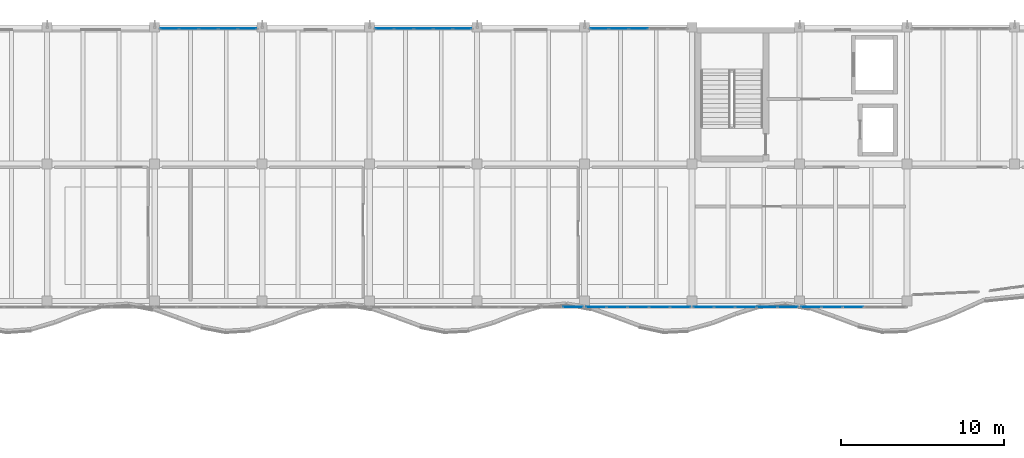
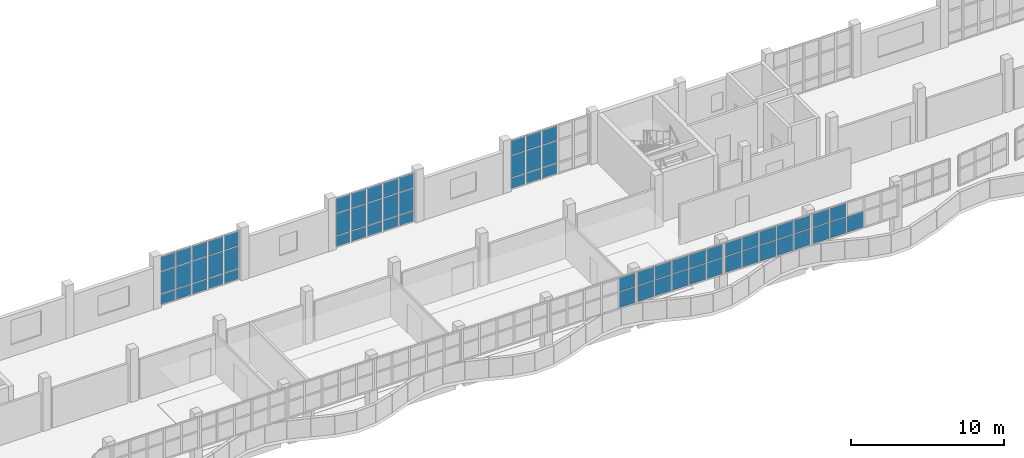
# One storey, part 36 of 74: 66 plates, 7 elements without a shape of their own.
"""IFC4 building model written with IfcOpenShell, lengths in metres."""

import ifcopenshell
import ifcopenshell.guid

model = None  # the IFC model being written
_history = None  # IfcOwnerHistory: only IFC2X3 demands one
_inside = {}  # id of a spatial element -> (the spatial element, [elements in it])
_under = {}  # id of a project, library or spatial element -> (it, [spatial elements below it])
_declared = {}  # id of a project -> (the project, [libraries it declares])
_typed = {}  # id of a type object -> (the type object, [elements of that type])
_made_of = {}  # id of a material, layer set ... -> (it, [elements and type objects made of it])


def new_model(schema):
    """Start an empty IFC model of exactly this schema.

    Asked for "IFC4X3", IfcOpenShell would pick the latest addendum, in which some entities
    have other attributes; the version numbers below select the first issue.
    IFC2X3 requires an IfcOwnerHistory on every rooted entity: one is made here for all.
    """
    global model, _history
    if schema == "IFC4X3":
        model = ifcopenshell.file(schema_version=(4, 3, 0, 0))
    else:
        model = ifcopenshell.file(schema=schema)
    _inside.clear()
    _under.clear()
    _declared.clear()
    _typed.clear()
    _made_of.clear()
    _history = None
    if model.schema == "IFC2X3":
        org = make("IfcOrganization", Name="unknown")
        user = make(
            "IfcPersonAndOrganization",
            ThePerson=make("IfcPerson", FamilyName="unknown"),
            TheOrganization=org,
        )
        app = make(
            "IfcApplication",
            ApplicationDeveloper=org,
            Version="unknown",
            ApplicationFullName="unknown",
            ApplicationIdentifier="unknown",
        )
        _history = make(
            "IfcOwnerHistory",
            OwningUser=user,
            OwningApplication=app,
            ChangeAction="ADDED",
            CreationDate=0,
        )
    return model


def make(cls, **values):
    """One entity of the class cls with the attributes given. An attribute that is None is left unset."""
    return model.create_entity(
        cls, **{name: value for name, value in values.items() if value is not None}
    )


def rooted(cls, **values):
    """An entity with a GlobalId (a new one), such as an element, a storey or a relation."""
    return make(cls, GlobalId=ifcopenshell.guid.new(), OwnerHistory=_history, **values)


def si_unit(unit_type, name, prefix=None):
    """IfcSIUnit, for example si_unit("LENGTHUNIT", "METRE", prefix="MILLI")."""
    return make("IfcSIUnit", UnitType=unit_type, Prefix=prefix, Name=name)


def assignment(units):
    """IfcUnitAssignment: the units of a project."""
    return None if units is None else make("IfcUnitAssignment", Units=units)


def point(xyz):
    """IfcCartesianPoint."""
    return None if xyz is None else make("IfcCartesianPoint", Coordinates=xyz)


def direction(xyz):
    """IfcDirection."""
    return None if xyz is None else make("IfcDirection", DirectionRatios=xyz)


def frame(location, z_axis=None, x_axis=None):
    """IfcAxis2Placement3D, a coordinate frame: its origin and axes. An axis left out is left unset."""
    return make(
        "IfcAxis2Placement3D",
        Location=point(location),
        Axis=direction(z_axis),
        RefDirection=direction(x_axis),
    )


def frame_2d(location, x_axis=None):
    """IfcAxis2Placement2D, a coordinate frame in the plane: its origin and x axis."""
    return make(
        "IfcAxis2Placement2D", Location=point(location), RefDirection=direction(x_axis)
    )


def origin():
    """The frame at (0, 0, 0) with its axes left unset."""
    return frame((0.0, 0.0, 0.0))


def origin_2d():
    """The frame at (0, 0) in the plane with its x axis left unset."""
    return frame_2d((0.0, 0.0))


def place(relative_to, where):
    """IfcLocalPlacement: puts the frame where relative to a parent placement (None: the world)."""
    return make(
        "IfcLocalPlacement", PlacementRelTo=relative_to, RelativePlacement=where
    )


def context(
    kind, dimensions, precision=None, world=None, true_north=None, identifier=None
):
    """IfcGeometricRepresentationContext, for example the 3D "Model" context."""
    return make(
        "IfcGeometricRepresentationContext",
        ContextIdentifier=identifier,
        ContextType=kind,
        CoordinateSpaceDimension=dimensions,
        Precision=precision,
        WorldCoordinateSystem=world,
        TrueNorth=true_north,
    )


def subcontext(parent, identifier, kind, view, scale=None):
    """IfcGeometricRepresentationSubContext, for example "Body" below "Model"."""
    return make(
        "IfcGeometricRepresentationSubContext",
        ContextIdentifier=identifier,
        ContextType=kind,
        ParentContext=parent,
        TargetScale=scale,
        TargetView=view,
    )


def project(units=None, contexts=None):
    """IfcProject with its units and contexts."""
    return rooted(
        "IfcProject",
        Name="project",
        RepresentationContexts=contexts,
        UnitsInContext=assignment(units),
    )


def spatial(cls, under=None, at=None, **own):
    """A site, building, storey or space (cls), placed at a placement, below another one or the project."""
    s = rooted(cls, ObjectPlacement=at, **own)
    if under is not None:
        _under.setdefault(under.id(), (under, []))[1].append(s)
    return s


def profile(cls, at=None, kind="AREA", **sizes):
    """A parametric profile (cls). Its sizes go by their IFC names, for example OverallWidth=200.0."""
    return make(cls, ProfileType=kind, Position=at, **sizes)


def rectangle(**sizes):
    """IfcRectangleProfileDef."""
    return profile("IfcRectangleProfileDef", **sizes)


def extrude(swept, where, along, depth):
    """IfcExtrudedAreaSolid: the profile swept, set in the frame where, extruded along a direction by depth."""
    return make(
        "IfcExtrudedAreaSolid",
        SweptArea=swept,
        Position=where,
        ExtrudedDirection=direction(along),
        Depth=depth,
    )


def shape(context_of_items, identifier, shape_type, items):
    """IfcShapeRepresentation: the items that make up one representation, for example the "Body"."""
    return make(
        "IfcShapeRepresentation",
        ContextOfItems=context_of_items,
        RepresentationIdentifier=identifier,
        RepresentationType=shape_type,
        Items=items,
    )


def material(Name=None, Category=None):
    """IfcMaterial."""
    return make("IfcMaterial", Name=Name, Category=Category)


def layer(
    of_material, thickness, ventilated=None, Name=None, Category=None, Priority=None
):
    """IfcMaterialLayer: one layer of a wall or slab, of a material (None: an air gap)."""
    return make(
        "IfcMaterialLayer",
        Material=of_material,
        LayerThickness=thickness,
        IsVentilated=ventilated,
        Name=Name,
        Category=Category,
        Priority=Priority,
    )


def layer_set(layers, Name=None):
    """IfcMaterialLayerSet."""
    return make("IfcMaterialLayerSet", MaterialLayers=layers, LayerSetName=Name)


def made_of(thing, what):
    """Note that an element or type object is made of a material, layer set ...; save() writes the relation."""
    if what is not None:
        _made_of.setdefault(what.id(), (what, []))[1].append(thing)
    return thing


def type_object(cls, material=None, **own):
    """A type object (cls), such as IfcWallType, which elements share."""
    return made_of(rooted(cls, **own), material)


def element(
    cls,
    number,
    at=None,
    inside=None,
    cuts=None,
    type_object=None,
    material=None,
    context=None,
    identifier="Body",
    shape_type=None,
    held_by="IfcProductDefinitionShape",
    body=None,
    shapes=None,
    **own,
):
    """One element of the class cls, such as IfcWall. Its Tag is "e" and its number.

    at: its placement. inside: the storey or other place that contains it. cuts: it is an
    opening in that element (IfcRelVoidsElement). A single representation is given by context,
    identifier, shape_type and body (its items); several are given by shapes. held_by: the class
    of the entity that holds the representations. save() writes the other relations.
    """
    e = rooted(cls, Tag="e%d" % number, ObjectPlacement=at, **own)
    if body is not None:
        shapes = [shape(context, identifier, shape_type, body)]
    if shapes is not None:
        e.Representation = make(held_by, Representations=shapes)
    if inside is not None:
        _inside.setdefault(inside.id(), (inside, []))[1].append(e)
    if cuts is not None:
        rooted(
            "IfcRelVoidsElement", RelatingBuildingElement=cuts, RelatedOpeningElement=e
        )
    if type_object is not None:
        _typed.setdefault(type_object.id(), (type_object, []))[1].append(e)
    return made_of(e, material)


def aggregate(whole, parts):
    """IfcRelAggregates: a whole, such as a stair, and the parts it consists of."""
    return rooted("IfcRelAggregates", RelatingObject=whole, RelatedObjects=parts)


def save(model, path):
    """Write the relations noted so far, then the file.

    IfcRelAggregates (storeys below a building ...), IfcRelContainedInSpatialStructure (elements
    in a storey), IfcRelDefinesByType, IfcRelAssociatesMaterial and IfcRelDeclares: one each for
    every whole, place, type object, material and project.
    """
    for whole, parts in _under.values():
        aggregate(whole, parts)
    for where, things in _inside.values():
        rooted(
            "IfcRelContainedInSpatialStructure",
            RelatedElements=things,
            RelatingStructure=where,
        )
    for kind, things in _typed.values():
        rooted("IfcRelDefinesByType", RelatedObjects=things, RelatingType=kind)
    for what, things in _made_of.values():
        rooted("IfcRelAssociatesMaterial", RelatedObjects=things, RelatingMaterial=what)
    for by, libraries in _declared.values():
        rooted("IfcRelDeclares", RelatingContext=by, RelatedDefinitions=libraries)
    model.write(path)


model = new_model("IFC4")

# Units and contexts
model_context = context("Model", 3, precision=1e-05, world=origin(), true_north=direction((0.0, 1.0)))
body_context = subcontext(model_context, "Body", "Model", "MODEL_VIEW")
ifc_project = project(units=[si_unit("LENGTHUNIT", "METRE"), si_unit("AREAUNIT", "SQUARE_METRE"), si_unit("VOLUMEUNIT", "CUBIC_METRE"), si_unit("PLANEANGLEUNIT", "RADIAN"), si_unit("MASSUNIT", "GRAM", prefix="KILO")], contexts=[model_context])

# Site, building, storey
site_placement = place(None, origin())
site = spatial("IfcSite", under=ifc_project, at=site_placement, CompositionType="ELEMENT")
building_placement = place(site_placement, origin())
building = spatial("IfcBuilding", under=site, at=building_placement, Name="Qaldarim Faculty of Natural and Applied Sciences", CompositionType="ELEMENT")
storey_placement = place(building_placement, frame((0.0, 0.0, 14.39990234375)))
storey = spatial("IfcBuildingStorey", under=building, at=storey_placement, Name="L03", CompositionType="ELEMENT", Elevation=14.39990234375)

# Curtain wall, plates
ifc_material_1 = material(Name="Anodised aluminium AW-6063", Category="aluminium")
curtain_wall_type_1 = type_object("IfcCurtainWallType", Name="CurtainWallSystem-M1200", PredefinedType="USERDEFINED", material=ifc_material_1)
curtain_wall_1_placement = place(storey_placement, origin())
curtain_wall_1 = element("IfcCurtainWall", 1, at=curtain_wall_1_placement, inside=storey, type_object=curtain_wall_type_1, Name="Curtain wall CW-L03-N-X11Y14", ObjectType="STICK CURTAIN WALL", PredefinedType="USERDEFINED")
ifc_material_2 = material(Name="Insulated low-e double glazing", Category="glass")
ifc_layer_1 = layer(ifc_material_2, 0.031982421875)
ifc_layer_set_1 = layer_set([ifc_layer_1], Name="Insulated low-e double glazing")
plate_type_1 = type_object("IfcPlateType", Name="SolarControlGlazingPanel-32", PredefinedType="CURTAIN_PANEL", material=ifc_layer_set_1)
plate_1_placement = place(storey_placement, frame((71.6865234375, 117.52001953125, 0.070068359375), z_axis=(0.0, 0.0, 1.0), x_axis=(-1.0, 0.0, 0.0)))
plate_1 = element("IfcPlate", 2, at=plate_1_placement, type_object=plate_type_1, Name="Glazed panel 1-1 of CW-L03-N-X11Y14", PredefinedType="CURTAIN_PANEL", context=body_context, shape_type="SweptSolid", body=[
    extrude(rectangle(XDim=1.096923828125, YDim=0.031982421875, at=origin_2d()), origin(), (0.0, 0.0, 1.0), 0.794921875),
])
plate_2_placement = place(storey_placement, frame((71.6865234375, 117.52001953125, 0.93505859375), z_axis=(0.0, 0.0, 1.0), x_axis=(-1.0, 0.0, 0.0)))
plate_2 = element("IfcPlate", 3, at=plate_2_placement, type_object=plate_type_1, Name="Glazed panel 1-2 of CW-L03-N-X11Y14", PredefinedType="CURTAIN_PANEL", context=body_context, shape_type="SweptSolid", body=[
    extrude(rectangle(XDim=1.096923828125, YDim=0.031982421875, at=origin_2d()), origin(), (0.0, 0.0, 1.0), 1.72998046875),
])
plate_3_placement = place(storey_placement, frame((71.6865234375, 117.52001953125, 2.73486328125), z_axis=(0.0, 0.0, 1.0), x_axis=(-1.0, 0.0, 0.0)))
plate_3 = element("IfcPlate", 4, at=plate_3_placement, type_object=plate_type_1, Name="Glazed panel 1-3 of CW-L03-N-X11Y14", PredefinedType="CURTAIN_PANEL", context=body_context, shape_type="SweptSolid", body=[
    extrude(rectangle(XDim=1.096923828125, YDim=0.031982421875, at=origin_2d()), origin(), (0.0, 0.0, 1.0), 1.135009765625),
])
plate_4_placement = place(storey_placement, frame((70.501953125, 117.52001953125, 0.070068359375), z_axis=(0.0, 0.0, 1.0), x_axis=(-1.0, 0.0, 0.0)))
plate_4 = element("IfcPlate", 5, at=plate_4_placement, type_object=plate_type_1, Name="Glazed panel 2-1 of CW-L03-N-X11Y14", PredefinedType="CURTAIN_PANEL", context=body_context, shape_type="SweptSolid", body=[
    extrude(rectangle(XDim=1.132080078125, YDim=0.031982421875, at=origin_2d()), origin(), (0.0, 0.0, 1.0), 0.794921875),
])
plate_5_placement = place(storey_placement, frame((70.501953125, 117.52001953125, 0.93505859375), z_axis=(0.0, 0.0, 1.0), x_axis=(-1.0, 0.0, 0.0)))
plate_5 = element("IfcPlate", 6, at=plate_5_placement, type_object=plate_type_1, Name="Glazed panel 2-2 of CW-L03-N-X11Y14", PredefinedType="CURTAIN_PANEL", context=body_context, shape_type="SweptSolid", body=[
    extrude(rectangle(XDim=1.132080078125, YDim=0.031982421875, at=origin_2d()), origin(), (0.0, 0.0, 1.0), 1.72998046875),
])
plate_6_placement = place(storey_placement, frame((70.501953125, 117.52001953125, 2.73486328125), z_axis=(0.0, 0.0, 1.0), x_axis=(-1.0, 0.0, 0.0)))
plate_6 = element("IfcPlate", 7, at=plate_6_placement, type_object=plate_type_1, Name="Glazed panel 2-3 of CW-L03-N-X11Y14", PredefinedType="CURTAIN_PANEL", context=body_context, shape_type="SweptSolid", body=[
    extrude(rectangle(XDim=1.132080078125, YDim=0.031982421875, at=origin_2d()), origin(), (0.0, 0.0, 1.0), 1.135009765625),
])
plate_7_placement = place(storey_placement, frame((69.300048828125, 117.52001953125, 0.070068359375), z_axis=(0.0, 0.0, 1.0), x_axis=(-1.0, 0.0, 0.0)))
plate_7 = element("IfcPlate", 8, at=plate_7_placement, type_object=plate_type_1, Name="Glazed panel 3-1 of CW-L03-N-X11Y14", PredefinedType="CURTAIN_PANEL", context=body_context, shape_type="SweptSolid", body=[
    extrude(rectangle(XDim=1.132080078125, YDim=0.031982421875, at=origin_2d()), origin(), (0.0, 0.0, 1.0), 0.794921875),
])
plate_8_placement = place(storey_placement, frame((69.300048828125, 117.52001953125, 0.93505859375), z_axis=(0.0, 0.0, 1.0), x_axis=(-1.0, 0.0, 0.0)))
plate_8 = element("IfcPlate", 9, at=plate_8_placement, type_object=plate_type_1, Name="Glazed panel 3-2 of CW-L03-N-X11Y14", PredefinedType="CURTAIN_PANEL", context=body_context, shape_type="SweptSolid", body=[
    extrude(rectangle(XDim=1.132080078125, YDim=0.031982421875, at=origin_2d()), origin(), (0.0, 0.0, 1.0), 1.72998046875),
])
plate_9_placement = place(storey_placement, frame((69.300048828125, 117.52001953125, 2.73486328125), z_axis=(0.0, 0.0, 1.0), x_axis=(-1.0, 0.0, 0.0)))
plate_9 = element("IfcPlate", 10, at=plate_9_placement, type_object=plate_type_1, Name="Glazed panel 3-3 of CW-L03-N-X11Y14", PredefinedType="CURTAIN_PANEL", context=body_context, shape_type="SweptSolid", body=[
    extrude(rectangle(XDim=1.132080078125, YDim=0.031982421875, at=origin_2d()), origin(), (0.0, 0.0, 1.0), 1.135009765625),
])
plate_10_placement = place(storey_placement, frame((68.097900390625, 117.52001953125, 0.070068359375), z_axis=(0.0, 0.0, 1.0), x_axis=(-1.0, 0.0, 0.0)))
plate_10 = element("IfcPlate", 11, at=plate_10_placement, type_object=plate_type_1, Name="Glazed panel 4-1 of CW-L03-N-X11Y14", PredefinedType="CURTAIN_PANEL", context=body_context, shape_type="SweptSolid", body=[
    extrude(rectangle(XDim=1.132080078125, YDim=0.031982421875, at=origin_2d()), origin(), (0.0, 0.0, 1.0), 0.794921875),
])
plate_11_placement = place(storey_placement, frame((68.097900390625, 117.52001953125, 0.93505859375), z_axis=(0.0, 0.0, 1.0), x_axis=(-1.0, 0.0, 0.0)))
plate_11 = element("IfcPlate", 12, at=plate_11_placement, type_object=plate_type_1, Name="Glazed panel 4-2 of CW-L03-N-X11Y14", PredefinedType="CURTAIN_PANEL", context=body_context, shape_type="SweptSolid", body=[
    extrude(rectangle(XDim=1.132080078125, YDim=0.031982421875, at=origin_2d()), origin(), (0.0, 0.0, 1.0), 1.72998046875),
])
plate_12_placement = place(storey_placement, frame((68.097900390625, 117.52001953125, 2.73486328125), z_axis=(0.0, 0.0, 1.0), x_axis=(-1.0, 0.0, 0.0)))
plate_12 = element("IfcPlate", 13, at=plate_12_placement, type_object=plate_type_1, Name="Glazed panel 4-3 of CW-L03-N-X11Y14", PredefinedType="CURTAIN_PANEL", context=body_context, shape_type="SweptSolid", body=[
    extrude(rectangle(XDim=1.132080078125, YDim=0.031982421875, at=origin_2d()), origin(), (0.0, 0.0, 1.0), 1.135009765625),
])
plate_13_placement = place(storey_placement, frame((66.91357421875, 117.52001953125, 0.070068359375), z_axis=(0.0, 0.0, 1.0), x_axis=(-1.0, 0.0, 0.0)))
plate_13 = element("IfcPlate", 14, at=plate_13_placement, type_object=plate_type_1, Name="Glazed panel 5-1 of CW-L03-N-X11Y14", PredefinedType="CURTAIN_PANEL", context=body_context, shape_type="SweptSolid", body=[
    extrude(rectangle(XDim=1.096923828125, YDim=0.031982421875, at=origin_2d()), origin(), (0.0, 0.0, 1.0), 0.794921875),
])
plate_14_placement = place(storey_placement, frame((66.91357421875, 117.52001953125, 0.93505859375), z_axis=(0.0, 0.0, 1.0), x_axis=(-1.0, 0.0, 0.0)))
plate_14 = element("IfcPlate", 15, at=plate_14_placement, type_object=plate_type_1, Name="Glazed panel 5-2 of CW-L03-N-X11Y14", PredefinedType="CURTAIN_PANEL", context=body_context, shape_type="SweptSolid", body=[
    extrude(rectangle(XDim=1.096923828125, YDim=0.031982421875, at=origin_2d()), origin(), (0.0, 0.0, 1.0), 1.72998046875),
])
plate_15_placement = place(storey_placement, frame((66.91357421875, 117.52001953125, 2.73486328125), z_axis=(0.0, 0.0, 1.0), x_axis=(-1.0, 0.0, 0.0)))
plate_15 = element("IfcPlate", 16, at=plate_15_placement, type_object=plate_type_1, Name="Glazed panel 5-3 of CW-L03-N-X11Y14", PredefinedType="CURTAIN_PANEL", context=body_context, shape_type="SweptSolid", body=[
    extrude(rectangle(XDim=1.096923828125, YDim=0.031982421875, at=origin_2d()), origin(), (0.0, 0.0, 1.0), 1.135009765625),
])
aggregate(curtain_wall_1, [plate_1, plate_2, plate_3, plate_4, plate_5, plate_6, plate_7, plate_8, plate_9, plate_10, plate_11, plate_12, plate_13, plate_14, plate_15])

curtain_wall_2_placement = place(storey_placement, origin())
curtain_wall_2 = element("IfcCurtainWall", 17, at=curtain_wall_2_placement, inside=storey, type_object=curtain_wall_type_1, Name="Curtain wall CW-L03-N-X13Y14", ObjectType="STICK CURTAIN WALL", PredefinedType="USERDEFINED")
plate_16_placement = place(storey_placement, frame((84.886474609375, 117.52001953125, 0.070068359375), z_axis=(0.0, 0.0, 1.0), x_axis=(-1.0, 0.0, 0.0)))
plate_16 = element("IfcPlate", 18, at=plate_16_placement, type_object=plate_type_1, Name="Glazed panel 1-1 of CW-L03-N-X13Y14", PredefinedType="CURTAIN_PANEL", context=body_context, shape_type="SweptSolid", body=[
    extrude(rectangle(XDim=1.096923828125, YDim=0.031982421875, at=origin_2d()), origin(), (0.0, 0.0, 1.0), 0.794921875),
])
plate_17_placement = place(storey_placement, frame((84.886474609375, 117.52001953125, 0.93505859375), z_axis=(0.0, 0.0, 1.0), x_axis=(-1.0, 0.0, 0.0)))
plate_17 = element("IfcPlate", 19, at=plate_17_placement, type_object=plate_type_1, Name="Glazed panel 1-2 of CW-L03-N-X13Y14", PredefinedType="CURTAIN_PANEL", context=body_context, shape_type="SweptSolid", body=[
    extrude(rectangle(XDim=1.096923828125, YDim=0.031982421875, at=origin_2d()), origin(), (0.0, 0.0, 1.0), 1.72998046875),
])
plate_18_placement = place(storey_placement, frame((84.886474609375, 117.52001953125, 2.73486328125), z_axis=(0.0, 0.0, 1.0), x_axis=(-1.0, 0.0, 0.0)))
plate_18 = element("IfcPlate", 20, at=plate_18_placement, type_object=plate_type_1, Name="Glazed panel 1-3 of CW-L03-N-X13Y14", PredefinedType="CURTAIN_PANEL", context=body_context, shape_type="SweptSolid", body=[
    extrude(rectangle(XDim=1.096923828125, YDim=0.031982421875, at=origin_2d()), origin(), (0.0, 0.0, 1.0), 1.135009765625),
])
plate_19_placement = place(storey_placement, frame((83.701904296875, 117.52001953125, 0.070068359375), z_axis=(0.0, 0.0, 1.0), x_axis=(-1.0, 0.0, 0.0)))
plate_19 = element("IfcPlate", 21, at=plate_19_placement, type_object=plate_type_1, Name="Glazed panel 2-1 of CW-L03-N-X13Y14", PredefinedType="CURTAIN_PANEL", context=body_context, shape_type="SweptSolid", body=[
    extrude(rectangle(XDim=1.132080078125, YDim=0.031982421875, at=origin_2d()), origin(), (0.0, 0.0, 1.0), 0.794921875),
])
plate_20_placement = place(storey_placement, frame((83.701904296875, 117.52001953125, 0.93505859375), z_axis=(0.0, 0.0, 1.0), x_axis=(-1.0, 0.0, 0.0)))
plate_20 = element("IfcPlate", 22, at=plate_20_placement, type_object=plate_type_1, Name="Glazed panel 2-2 of CW-L03-N-X13Y14", PredefinedType="CURTAIN_PANEL", context=body_context, shape_type="SweptSolid", body=[
    extrude(rectangle(XDim=1.132080078125, YDim=0.031982421875, at=origin_2d()), origin(), (0.0, 0.0, 1.0), 1.72998046875),
])
plate_21_placement = place(storey_placement, frame((83.701904296875, 117.52001953125, 2.73486328125), z_axis=(0.0, 0.0, 1.0), x_axis=(-1.0, 0.0, 0.0)))
plate_21 = element("IfcPlate", 23, at=plate_21_placement, type_object=plate_type_1, Name="Glazed panel 2-3 of CW-L03-N-X13Y14", PredefinedType="CURTAIN_PANEL", context=body_context, shape_type="SweptSolid", body=[
    extrude(rectangle(XDim=1.132080078125, YDim=0.031982421875, at=origin_2d()), origin(), (0.0, 0.0, 1.0), 1.135009765625),
])
plate_22_placement = place(storey_placement, frame((82.5, 117.52001953125, 0.070068359375), z_axis=(0.0, 0.0, 1.0), x_axis=(-1.0, 0.0, 0.0)))
plate_22 = element("IfcPlate", 24, at=plate_22_placement, type_object=plate_type_1, Name="Glazed panel 3-1 of CW-L03-N-X13Y14", PredefinedType="CURTAIN_PANEL", context=body_context, shape_type="SweptSolid", body=[
    extrude(rectangle(XDim=1.132080078125, YDim=0.031982421875, at=origin_2d()), origin(), (0.0, 0.0, 1.0), 0.794921875),
])
plate_23_placement = place(storey_placement, frame((82.5, 117.52001953125, 0.93505859375), z_axis=(0.0, 0.0, 1.0), x_axis=(-1.0, 0.0, 0.0)))
plate_23 = element("IfcPlate", 25, at=plate_23_placement, type_object=plate_type_1, Name="Glazed panel 3-2 of CW-L03-N-X13Y14", PredefinedType="CURTAIN_PANEL", context=body_context, shape_type="SweptSolid", body=[
    extrude(rectangle(XDim=1.132080078125, YDim=0.031982421875, at=origin_2d()), origin(), (0.0, 0.0, 1.0), 1.72998046875),
])
plate_24_placement = place(storey_placement, frame((82.5, 117.52001953125, 2.73486328125), z_axis=(0.0, 0.0, 1.0), x_axis=(-1.0, 0.0, 0.0)))
plate_24 = element("IfcPlate", 26, at=plate_24_placement, type_object=plate_type_1, Name="Glazed panel 3-3 of CW-L03-N-X13Y14", PredefinedType="CURTAIN_PANEL", context=body_context, shape_type="SweptSolid", body=[
    extrude(rectangle(XDim=1.132080078125, YDim=0.031982421875, at=origin_2d()), origin(), (0.0, 0.0, 1.0), 1.135009765625),
])
plate_25_placement = place(storey_placement, frame((81.298095703125, 117.52001953125, 0.070068359375), z_axis=(0.0, 0.0, 1.0), x_axis=(-1.0, 0.0, 0.0)))
plate_25 = element("IfcPlate", 27, at=plate_25_placement, type_object=plate_type_1, Name="Glazed panel 4-1 of CW-L03-N-X13Y14", PredefinedType="CURTAIN_PANEL", context=body_context, shape_type="SweptSolid", body=[
    extrude(rectangle(XDim=1.132080078125, YDim=0.031982421875, at=origin_2d()), origin(), (0.0, 0.0, 1.0), 0.794921875),
])
plate_26_placement = place(storey_placement, frame((81.298095703125, 117.52001953125, 0.93505859375), z_axis=(0.0, 0.0, 1.0), x_axis=(-1.0, 0.0, 0.0)))
plate_26 = element("IfcPlate", 28, at=plate_26_placement, type_object=plate_type_1, Name="Glazed panel 4-2 of CW-L03-N-X13Y14", PredefinedType="CURTAIN_PANEL", context=body_context, shape_type="SweptSolid", body=[
    extrude(rectangle(XDim=1.132080078125, YDim=0.031982421875, at=origin_2d()), origin(), (0.0, 0.0, 1.0), 1.72998046875),
])
plate_27_placement = place(storey_placement, frame((81.298095703125, 117.52001953125, 2.73486328125), z_axis=(0.0, 0.0, 1.0), x_axis=(-1.0, 0.0, 0.0)))
plate_27 = element("IfcPlate", 29, at=plate_27_placement, type_object=plate_type_1, Name="Glazed panel 4-3 of CW-L03-N-X13Y14", PredefinedType="CURTAIN_PANEL", context=body_context, shape_type="SweptSolid", body=[
    extrude(rectangle(XDim=1.132080078125, YDim=0.031982421875, at=origin_2d()), origin(), (0.0, 0.0, 1.0), 1.135009765625),
])
plate_28_placement = place(storey_placement, frame((80.113525390625, 117.52001953125, 0.070068359375), z_axis=(0.0, 0.0, 1.0), x_axis=(-1.0, 0.0, 0.0)))
plate_28 = element("IfcPlate", 30, at=plate_28_placement, type_object=plate_type_1, Name="Glazed panel 5-1 of CW-L03-N-X13Y14", PredefinedType="CURTAIN_PANEL", context=body_context, shape_type="SweptSolid", body=[
    extrude(rectangle(XDim=1.096923828125, YDim=0.031982421875, at=origin_2d()), origin(), (0.0, 0.0, 1.0), 0.794921875),
])
plate_29_placement = place(storey_placement, frame((80.113525390625, 117.52001953125, 0.93505859375), z_axis=(0.0, 0.0, 1.0), x_axis=(-1.0, 0.0, 0.0)))
plate_29 = element("IfcPlate", 31, at=plate_29_placement, type_object=plate_type_1, Name="Glazed panel 5-2 of CW-L03-N-X13Y14", PredefinedType="CURTAIN_PANEL", context=body_context, shape_type="SweptSolid", body=[
    extrude(rectangle(XDim=1.096923828125, YDim=0.031982421875, at=origin_2d()), origin(), (0.0, 0.0, 1.0), 1.72998046875),
])
plate_30_placement = place(storey_placement, frame((80.113525390625, 117.52001953125, 2.73486328125), z_axis=(0.0, 0.0, 1.0), x_axis=(-1.0, 0.0, 0.0)))
plate_30 = element("IfcPlate", 32, at=plate_30_placement, type_object=plate_type_1, Name="Glazed panel 5-3 of CW-L03-N-X13Y14", PredefinedType="CURTAIN_PANEL", context=body_context, shape_type="SweptSolid", body=[
    extrude(rectangle(XDim=1.096923828125, YDim=0.031982421875, at=origin_2d()), origin(), (0.0, 0.0, 1.0), 1.135009765625),
])
aggregate(curtain_wall_2, [plate_16, plate_17, plate_18, plate_19, plate_20, plate_21, plate_22, plate_23, plate_24, plate_25, plate_26, plate_27, plate_28, plate_29, plate_30])

curtain_wall_3_placement = place(storey_placement, origin())
curtain_wall_3 = element("IfcCurtainWall", 33, at=curtain_wall_3_placement, inside=storey, type_object=curtain_wall_type_1, Name="Curtain wall CW-L03-N-X15Y14", ObjectType="STICK CURTAIN WALL", PredefinedType="USERDEFINED")
plate_31_placement = place(storey_placement, frame((95.699951171875, 117.52001953125, 0.070068359375), z_axis=(0.0, 0.0, 1.0), x_axis=(-1.0, 0.0, 0.0)))
plate_31 = element("IfcPlate", 34, at=plate_31_placement, type_object=plate_type_1, Name="Glazed panel 3-1 of CW-L03-N-X15Y14", PredefinedType="CURTAIN_PANEL", context=body_context, shape_type="SweptSolid", body=[
    extrude(rectangle(XDim=1.132080078125, YDim=0.031982421875, at=origin_2d()), origin(), (0.0, 0.0, 1.0), 0.794921875),
])
plate_32_placement = place(storey_placement, frame((95.699951171875, 117.52001953125, 0.93505859375), z_axis=(0.0, 0.0, 1.0), x_axis=(-1.0, 0.0, 0.0)))
plate_32 = element("IfcPlate", 35, at=plate_32_placement, type_object=plate_type_1, Name="Glazed panel 3-2 of CW-L03-N-X15Y14", PredefinedType="CURTAIN_PANEL", context=body_context, shape_type="SweptSolid", body=[
    extrude(rectangle(XDim=1.132080078125, YDim=0.031982421875, at=origin_2d()), origin(), (0.0, 0.0, 1.0), 1.72998046875),
])
plate_33_placement = place(storey_placement, frame((95.699951171875, 117.52001953125, 2.73486328125), z_axis=(0.0, 0.0, 1.0), x_axis=(-1.0, 0.0, 0.0)))
plate_33 = element("IfcPlate", 36, at=plate_33_placement, type_object=plate_type_1, Name="Glazed panel 3-3 of CW-L03-N-X15Y14", PredefinedType="CURTAIN_PANEL", context=body_context, shape_type="SweptSolid", body=[
    extrude(rectangle(XDim=1.132080078125, YDim=0.031982421875, at=origin_2d()), origin(), (0.0, 0.0, 1.0), 1.135009765625),
])
plate_34_placement = place(storey_placement, frame((94.498046875, 117.52001953125, 0.070068359375), z_axis=(0.0, 0.0, 1.0), x_axis=(-1.0, 0.0, 0.0)))
plate_34 = element("IfcPlate", 37, at=plate_34_placement, type_object=plate_type_1, Name="Glazed panel 4-1 of CW-L03-N-X15Y14", PredefinedType="CURTAIN_PANEL", context=body_context, shape_type="SweptSolid", body=[
    extrude(rectangle(XDim=1.132080078125, YDim=0.031982421875, at=origin_2d()), origin(), (0.0, 0.0, 1.0), 0.794921875),
])
plate_35_placement = place(storey_placement, frame((94.498046875, 117.52001953125, 0.93505859375), z_axis=(0.0, 0.0, 1.0), x_axis=(-1.0, 0.0, 0.0)))
plate_35 = element("IfcPlate", 38, at=plate_35_placement, type_object=plate_type_1, Name="Glazed panel 4-2 of CW-L03-N-X15Y14", PredefinedType="CURTAIN_PANEL", context=body_context, shape_type="SweptSolid", body=[
    extrude(rectangle(XDim=1.132080078125, YDim=0.031982421875, at=origin_2d()), origin(), (0.0, 0.0, 1.0), 1.72998046875),
])
plate_36_placement = place(storey_placement, frame((94.498046875, 117.52001953125, 2.73486328125), z_axis=(0.0, 0.0, 1.0), x_axis=(-1.0, 0.0, 0.0)))
plate_36 = element("IfcPlate", 39, at=plate_36_placement, type_object=plate_type_1, Name="Glazed panel 4-3 of CW-L03-N-X15Y14", PredefinedType="CURTAIN_PANEL", context=body_context, shape_type="SweptSolid", body=[
    extrude(rectangle(XDim=1.132080078125, YDim=0.031982421875, at=origin_2d()), origin(), (0.0, 0.0, 1.0), 1.135009765625),
])
plate_37_placement = place(storey_placement, frame((93.3134765625, 117.52001953125, 0.070068359375), z_axis=(0.0, 0.0, 1.0), x_axis=(-1.0, 0.0, 0.0)))
plate_37 = element("IfcPlate", 40, at=plate_37_placement, type_object=plate_type_1, Name="Glazed panel 5-1 of CW-L03-N-X15Y14", PredefinedType="CURTAIN_PANEL", context=body_context, shape_type="SweptSolid", body=[
    extrude(rectangle(XDim=1.096923828125, YDim=0.031982421875, at=origin_2d()), origin(), (0.0, 0.0, 1.0), 0.794921875),
])
plate_38_placement = place(storey_placement, frame((93.3134765625, 117.52001953125, 0.93505859375), z_axis=(0.0, 0.0, 1.0), x_axis=(-1.0, 0.0, 0.0)))
plate_38 = element("IfcPlate", 41, at=plate_38_placement, type_object=plate_type_1, Name="Glazed panel 5-2 of CW-L03-N-X15Y14", PredefinedType="CURTAIN_PANEL", context=body_context, shape_type="SweptSolid", body=[
    extrude(rectangle(XDim=1.096923828125, YDim=0.031982421875, at=origin_2d()), origin(), (0.0, 0.0, 1.0), 1.72998046875),
])
plate_39_placement = place(storey_placement, frame((93.3134765625, 117.52001953125, 2.73486328125), z_axis=(0.0, 0.0, 1.0), x_axis=(-1.0, 0.0, 0.0)))
plate_39 = element("IfcPlate", 42, at=plate_39_placement, type_object=plate_type_1, Name="Glazed panel 5-3 of CW-L03-N-X15Y14", PredefinedType="CURTAIN_PANEL", context=body_context, shape_type="SweptSolid", body=[
    extrude(rectangle(XDim=1.096923828125, YDim=0.031982421875, at=origin_2d()), origin(), (0.0, 0.0, 1.0), 1.135009765625),
])
aggregate(curtain_wall_3, [plate_31, plate_32, plate_33, plate_34, plate_35, plate_36, plate_37, plate_38, plate_39])

curtain_wall_type_2 = type_object("IfcCurtainWallType", Name="CurtainWallSystem-M1400", PredefinedType="USERDEFINED", material=ifc_material_1)
curtain_wall_4_placement = place(storey_placement, origin())
curtain_wall_4 = element("IfcCurtainWall", 43, at=curtain_wall_4_placement, inside=storey, type_object=curtain_wall_type_2, Name="Curtain wall CW-V4RIB-L03-X14", ObjectType="STICK CURTAIN WALL", PredefinedType="USERDEFINED")
ifc_layer_2 = layer(ifc_material_2, 0.028076171875)
ifc_layer_set_2 = layer_set([ifc_layer_2], Name="Insulated low-e double glazing")
plate_type_2 = type_object("IfcPlateType", Name="VisionGlazingPanel-28", PredefinedType="CURTAIN_PANEL", material=ifc_layer_set_2)
plate_40_placement = place(storey_placement, frame((91.693115234375, 100.419921875, 1.51025390625), z_axis=(0.0, 0.0, 1.0), x_axis=(1.0, 0.0, 0.0)))
plate_40 = element("IfcPlate", 44, at=plate_40_placement, type_object=plate_type_2, Name="Glazed panel 5-1 of CW-V4RIB-L03-X14", PredefinedType="CURTAIN_PANEL", context=body_context, shape_type="SweptSolid", body=[
    extrude(rectangle(XDim=1.214111328125, YDim=0.028076171875, at=origin_2d()), origin(), (0.0, 0.0, 1.0), 1.260009765625),
])
plate_41_placement = place(storey_placement, frame((91.693115234375, 100.419921875, 2.830078125), z_axis=(0.0, 0.0, 1.0), x_axis=(1.0, 0.0, 0.0)))
plate_41 = element("IfcPlate", 45, at=plate_41_placement, type_object=plate_type_2, Name="Glazed panel 5-2 of CW-V4RIB-L03-X14", PredefinedType="CURTAIN_PANEL", context=body_context, shape_type="SweptSolid", body=[
    extrude(rectangle(XDim=1.214111328125, YDim=0.028076171875, at=origin_2d()), origin(), (0.0, 0.0, 1.0), 1.050048828125),
])
aggregate(curtain_wall_4, [plate_40, plate_41])

curtain_wall_5_placement = place(storey_placement, origin())
curtain_wall_5 = element("IfcCurtainWall", 46, at=curtain_wall_5_placement, inside=storey, type_object=curtain_wall_type_2, Name="Curtain wall CW-V4RIB-L03-X15", ObjectType="STICK CURTAIN WALL", PredefinedType="USERDEFINED")
plate_42_placement = place(storey_placement, frame((93.10693359375, 100.419921875, 1.51025390625), z_axis=(0.0, 0.0, 1.0), x_axis=(1.0, 0.0, 0.0)))
plate_42 = element("IfcPlate", 47, at=plate_42_placement, type_object=plate_type_2, Name="Glazed panel 1-1 of CW-V4RIB-L03-X15", PredefinedType="CURTAIN_PANEL", context=body_context, shape_type="SweptSolid", body=[
    extrude(rectangle(XDim=1.214111328125, YDim=0.028076171875, at=origin_2d()), origin(), (0.0, 0.0, 1.0), 1.260009765625),
])
plate_43_placement = place(storey_placement, frame((93.10693359375, 100.419921875, 2.830078125), z_axis=(0.0, 0.0, 1.0), x_axis=(1.0, 0.0, 0.0)))
plate_43 = element("IfcPlate", 48, at=plate_43_placement, type_object=plate_type_2, Name="Glazed panel 1-2 of CW-V4RIB-L03-X15", PredefinedType="CURTAIN_PANEL", context=body_context, shape_type="SweptSolid", body=[
    extrude(rectangle(XDim=1.214111328125, YDim=0.028076171875, at=origin_2d()), origin(), (0.0, 0.0, 1.0), 1.050048828125),
])
plate_44_placement = place(storey_placement, frame((94.39599609375, 100.419921875, 1.51025390625), z_axis=(0.0, 0.0, 1.0), x_axis=(1.0, 0.0, 0.0)))
plate_44 = element("IfcPlate", 49, at=plate_44_placement, type_object=plate_type_2, Name="Glazed panel 2-1 of CW-V4RIB-L03-X15", PredefinedType="CURTAIN_PANEL", context=body_context, shape_type="SweptSolid", body=[
    extrude(rectangle(XDim=1.243896484375, YDim=0.028076171875, at=origin_2d()), origin(), (0.0, 0.0, 1.0), 1.260009765625),
])
plate_45_placement = place(storey_placement, frame((94.39599609375, 100.419921875, 2.830078125), z_axis=(0.0, 0.0, 1.0), x_axis=(1.0, 0.0, 0.0)))
plate_45 = element("IfcPlate", 50, at=plate_45_placement, type_object=plate_type_2, Name="Glazed panel 2-2 of CW-V4RIB-L03-X15", PredefinedType="CURTAIN_PANEL", context=body_context, shape_type="SweptSolid", body=[
    extrude(rectangle(XDim=1.243896484375, YDim=0.028076171875, at=origin_2d()), origin(), (0.0, 0.0, 1.0), 1.050048828125),
])
plate_46_placement = place(storey_placement, frame((95.699951171875, 100.419921875, 1.51025390625), z_axis=(0.0, 0.0, 1.0), x_axis=(1.0, 0.0, 0.0)))
plate_46 = element("IfcPlate", 51, at=plate_46_placement, type_object=plate_type_2, Name="Glazed panel 3-1 of CW-V4RIB-L03-X15", PredefinedType="CURTAIN_PANEL", context=body_context, shape_type="SweptSolid", body=[
    extrude(rectangle(XDim=1.243896484375, YDim=0.028076171875, at=origin_2d()), origin(), (0.0, 0.0, 1.0), 1.260009765625),
])
plate_47_placement = place(storey_placement, frame((95.699951171875, 100.419921875, 2.830078125), z_axis=(0.0, 0.0, 1.0), x_axis=(1.0, 0.0, 0.0)))
plate_47 = element("IfcPlate", 52, at=plate_47_placement, type_object=plate_type_2, Name="Glazed panel 3-2 of CW-V4RIB-L03-X15", PredefinedType="CURTAIN_PANEL", context=body_context, shape_type="SweptSolid", body=[
    extrude(rectangle(XDim=1.243896484375, YDim=0.028076171875, at=origin_2d()), origin(), (0.0, 0.0, 1.0), 1.050048828125),
])
plate_48_placement = place(storey_placement, frame((97.00390625, 100.419921875, 1.51025390625), z_axis=(0.0, 0.0, 1.0), x_axis=(1.0, 0.0, 0.0)))
plate_48 = element("IfcPlate", 53, at=plate_48_placement, type_object=plate_type_2, Name="Glazed panel 4-1 of CW-V4RIB-L03-X15", PredefinedType="CURTAIN_PANEL", context=body_context, shape_type="SweptSolid", body=[
    extrude(rectangle(XDim=1.243896484375, YDim=0.028076171875, at=origin_2d()), origin(), (0.0, 0.0, 1.0), 1.260009765625),
])
plate_49_placement = place(storey_placement, frame((97.00390625, 100.419921875, 2.830078125), z_axis=(0.0, 0.0, 1.0), x_axis=(1.0, 0.0, 0.0)))
plate_49 = element("IfcPlate", 54, at=plate_49_placement, type_object=plate_type_2, Name="Glazed panel 4-2 of CW-V4RIB-L03-X15", PredefinedType="CURTAIN_PANEL", context=body_context, shape_type="SweptSolid", body=[
    extrude(rectangle(XDim=1.243896484375, YDim=0.028076171875, at=origin_2d()), origin(), (0.0, 0.0, 1.0), 1.050048828125),
])
plate_50_placement = place(storey_placement, frame((98.29296875, 100.419921875, 1.51025390625), z_axis=(0.0, 0.0, 1.0), x_axis=(1.0, 0.0, 0.0)))
plate_50 = element("IfcPlate", 55, at=plate_50_placement, type_object=plate_type_2, Name="Glazed panel 5-1 of CW-V4RIB-L03-X15", PredefinedType="CURTAIN_PANEL", context=body_context, shape_type="SweptSolid", body=[
    extrude(rectangle(XDim=1.214111328125, YDim=0.028076171875, at=origin_2d()), origin(), (0.0, 0.0, 1.0), 1.260009765625),
])
plate_51_placement = place(storey_placement, frame((98.29296875, 100.419921875, 2.830078125), z_axis=(0.0, 0.0, 1.0), x_axis=(1.0, 0.0, 0.0)))
plate_51 = element("IfcPlate", 56, at=plate_51_placement, type_object=plate_type_2, Name="Glazed panel 5-2 of CW-V4RIB-L03-X15", PredefinedType="CURTAIN_PANEL", context=body_context, shape_type="SweptSolid", body=[
    extrude(rectangle(XDim=1.214111328125, YDim=0.028076171875, at=origin_2d()), origin(), (0.0, 0.0, 1.0), 1.050048828125),
])
aggregate(curtain_wall_5, [plate_42, plate_43, plate_44, plate_45, plate_46, plate_47, plate_48, plate_49, plate_50, plate_51])

curtain_wall_6_placement = place(storey_placement, origin())
curtain_wall_6 = element("IfcCurtainWall", 57, at=curtain_wall_6_placement, inside=storey, type_object=curtain_wall_type_2, Name="Curtain wall CW-V4RIB-L03-X16", ObjectType="STICK CURTAIN WALL", PredefinedType="USERDEFINED")
plate_52_placement = place(storey_placement, frame((99.70703125, 100.419921875, 1.51025390625), z_axis=(0.0, 0.0, 1.0), x_axis=(1.0, 0.0, 0.0)))
plate_52 = element("IfcPlate", 58, at=plate_52_placement, type_object=plate_type_2, Name="Glazed panel 1-1 of CW-V4RIB-L03-X16", PredefinedType="CURTAIN_PANEL", context=body_context, shape_type="SweptSolid", body=[
    extrude(rectangle(XDim=1.214111328125, YDim=0.028076171875, at=origin_2d()), origin(), (0.0, 0.0, 1.0), 1.260009765625),
])
plate_53_placement = place(storey_placement, frame((99.70703125, 100.419921875, 2.830078125), z_axis=(0.0, 0.0, 1.0), x_axis=(1.0, 0.0, 0.0)))
plate_53 = element("IfcPlate", 59, at=plate_53_placement, type_object=plate_type_2, Name="Glazed panel 1-2 of CW-V4RIB-L03-X16", PredefinedType="CURTAIN_PANEL", context=body_context, shape_type="SweptSolid", body=[
    extrude(rectangle(XDim=1.214111328125, YDim=0.028076171875, at=origin_2d()), origin(), (0.0, 0.0, 1.0), 1.050048828125),
])
plate_54_placement = place(storey_placement, frame((100.99609375, 100.419921875, 1.51025390625), z_axis=(0.0, 0.0, 1.0), x_axis=(1.0, 0.0, 0.0)))
plate_54 = element("IfcPlate", 60, at=plate_54_placement, type_object=plate_type_2, Name="Glazed panel 2-1 of CW-V4RIB-L03-X16", PredefinedType="CURTAIN_PANEL", context=body_context, shape_type="SweptSolid", body=[
    extrude(rectangle(XDim=1.243896484375, YDim=0.028076171875, at=origin_2d()), origin(), (0.0, 0.0, 1.0), 1.260009765625),
])
plate_55_placement = place(storey_placement, frame((100.99609375, 100.419921875, 2.830078125), z_axis=(0.0, 0.0, 1.0), x_axis=(1.0, 0.0, 0.0)))
plate_55 = element("IfcPlate", 61, at=plate_55_placement, type_object=plate_type_2, Name="Glazed panel 2-2 of CW-V4RIB-L03-X16", PredefinedType="CURTAIN_PANEL", context=body_context, shape_type="SweptSolid", body=[
    extrude(rectangle(XDim=1.243896484375, YDim=0.028076171875, at=origin_2d()), origin(), (0.0, 0.0, 1.0), 1.050048828125),
])
plate_56_placement = place(storey_placement, frame((102.300048828125, 100.419921875, 1.51025390625), z_axis=(0.0, 0.0, 1.0), x_axis=(1.0, 0.0, 0.0)))
plate_56 = element("IfcPlate", 62, at=plate_56_placement, type_object=plate_type_2, Name="Glazed panel 3-1 of CW-V4RIB-L03-X16", PredefinedType="CURTAIN_PANEL", context=body_context, shape_type="SweptSolid", body=[
    extrude(rectangle(XDim=1.243896484375, YDim=0.028076171875, at=origin_2d()), origin(), (0.0, 0.0, 1.0), 1.260009765625),
])
plate_57_placement = place(storey_placement, frame((102.300048828125, 100.419921875, 2.830078125), z_axis=(0.0, 0.0, 1.0), x_axis=(1.0, 0.0, 0.0)))
plate_57 = element("IfcPlate", 63, at=plate_57_placement, type_object=plate_type_2, Name="Glazed panel 3-2 of CW-V4RIB-L03-X16", PredefinedType="CURTAIN_PANEL", context=body_context, shape_type="SweptSolid", body=[
    extrude(rectangle(XDim=1.243896484375, YDim=0.028076171875, at=origin_2d()), origin(), (0.0, 0.0, 1.0), 1.050048828125),
])
plate_58_placement = place(storey_placement, frame((103.60400390625, 100.419921875, 1.51025390625), z_axis=(0.0, 0.0, 1.0), x_axis=(1.0, 0.0, 0.0)))
plate_58 = element("IfcPlate", 64, at=plate_58_placement, type_object=plate_type_2, Name="Glazed panel 4-1 of CW-V4RIB-L03-X16", PredefinedType="CURTAIN_PANEL", context=body_context, shape_type="SweptSolid", body=[
    extrude(rectangle(XDim=1.243896484375, YDim=0.028076171875, at=origin_2d()), origin(), (0.0, 0.0, 1.0), 1.260009765625),
])
plate_59_placement = place(storey_placement, frame((103.60400390625, 100.419921875, 2.830078125), z_axis=(0.0, 0.0, 1.0), x_axis=(1.0, 0.0, 0.0)))
plate_59 = element("IfcPlate", 65, at=plate_59_placement, type_object=plate_type_2, Name="Glazed panel 4-2 of CW-V4RIB-L03-X16", PredefinedType="CURTAIN_PANEL", context=body_context, shape_type="SweptSolid", body=[
    extrude(rectangle(XDim=1.243896484375, YDim=0.028076171875, at=origin_2d()), origin(), (0.0, 0.0, 1.0), 1.050048828125),
])
plate_60_placement = place(storey_placement, frame((104.89306640625, 100.419921875, 1.51025390625), z_axis=(0.0, 0.0, 1.0), x_axis=(1.0, 0.0, 0.0)))
plate_60 = element("IfcPlate", 66, at=plate_60_placement, type_object=plate_type_2, Name="Glazed panel 5-1 of CW-V4RIB-L03-X16", PredefinedType="CURTAIN_PANEL", context=body_context, shape_type="SweptSolid", body=[
    extrude(rectangle(XDim=1.214111328125, YDim=0.028076171875, at=origin_2d()), origin(), (0.0, 0.0, 1.0), 1.260009765625),
])
plate_61_placement = place(storey_placement, frame((104.89306640625, 100.419921875, 2.830078125), z_axis=(0.0, 0.0, 1.0), x_axis=(1.0, 0.0, 0.0)))
plate_61 = element("IfcPlate", 67, at=plate_61_placement, type_object=plate_type_2, Name="Glazed panel 5-2 of CW-V4RIB-L03-X16", PredefinedType="CURTAIN_PANEL", context=body_context, shape_type="SweptSolid", body=[
    extrude(rectangle(XDim=1.214111328125, YDim=0.028076171875, at=origin_2d()), origin(), (0.0, 0.0, 1.0), 1.050048828125),
])
aggregate(curtain_wall_6, [plate_52, plate_53, plate_54, plate_55, plate_56, plate_57, plate_58, plate_59, plate_60, plate_61])

curtain_wall_7_placement = place(storey_placement, origin())
curtain_wall_7 = element("IfcCurtainWall", 68, at=curtain_wall_7_placement, inside=storey, type_object=curtain_wall_type_2, Name="Curtain wall CW-V4RIB-L03-X17", ObjectType="STICK CURTAIN WALL", PredefinedType="USERDEFINED")
plate_62_placement = place(storey_placement, frame((106.306884765625, 100.419921875, 1.51025390625), z_axis=(0.0, 0.0, 1.0), x_axis=(1.0, 0.0, 0.0)))
plate_62 = element("IfcPlate", 69, at=plate_62_placement, type_object=plate_type_2, Name="Glazed panel 1-1 of CW-V4RIB-L03-X17", PredefinedType="CURTAIN_PANEL", context=body_context, shape_type="SweptSolid", body=[
    extrude(rectangle(XDim=1.214111328125, YDim=0.028076171875, at=origin_2d()), origin(), (0.0, 0.0, 1.0), 1.260009765625),
])
plate_63_placement = place(storey_placement, frame((106.306884765625, 100.419921875, 2.830078125), z_axis=(0.0, 0.0, 1.0), x_axis=(1.0, 0.0, 0.0)))
plate_63 = element("IfcPlate", 70, at=plate_63_placement, type_object=plate_type_2, Name="Glazed panel 1-2 of CW-V4RIB-L03-X17", PredefinedType="CURTAIN_PANEL", context=body_context, shape_type="SweptSolid", body=[
    extrude(rectangle(XDim=1.214111328125, YDim=0.028076171875, at=origin_2d()), origin(), (0.0, 0.0, 1.0), 1.050048828125),
])
plate_64_placement = place(storey_placement, frame((107.595947265625, 100.419921875, 1.51025390625), z_axis=(0.0, 0.0, 1.0), x_axis=(1.0, 0.0, 0.0)))
plate_64 = element("IfcPlate", 71, at=plate_64_placement, type_object=plate_type_2, Name="Glazed panel 2-1 of CW-V4RIB-L03-X17", PredefinedType="CURTAIN_PANEL", context=body_context, shape_type="SweptSolid", body=[
    extrude(rectangle(XDim=1.243896484375, YDim=0.028076171875, at=origin_2d()), origin(), (0.0, 0.0, 1.0), 1.260009765625),
])
plate_65_placement = place(storey_placement, frame((107.595947265625, 100.419921875, 2.830078125), z_axis=(0.0, 0.0, 1.0), x_axis=(1.0, 0.0, 0.0)))
plate_65 = element("IfcPlate", 72, at=plate_65_placement, type_object=plate_type_2, Name="Glazed panel 2-2 of CW-V4RIB-L03-X17", PredefinedType="CURTAIN_PANEL", context=body_context, shape_type="SweptSolid", body=[
    extrude(rectangle(XDim=1.243896484375, YDim=0.028076171875, at=origin_2d()), origin(), (0.0, 0.0, 1.0), 1.050048828125),
])
plate_66_placement = place(storey_placement, frame((108.89990234375, 100.419921875, 1.51025390625), z_axis=(0.0, 0.0, 1.0), x_axis=(1.0, 0.0, 0.0)))
plate_66 = element("IfcPlate", 73, at=plate_66_placement, type_object=plate_type_2, Name="Glazed panel 3-1 of CW-V4RIB-L03-X17", PredefinedType="CURTAIN_PANEL", context=body_context, shape_type="SweptSolid", body=[
    extrude(rectangle(XDim=1.243896484375, YDim=0.028076171875, at=origin_2d()), origin(), (0.0, 0.0, 1.0), 1.260009765625),
])
aggregate(curtain_wall_7, [plate_62, plate_63, plate_64, plate_65, plate_66])

save(model, "model.ifc")
